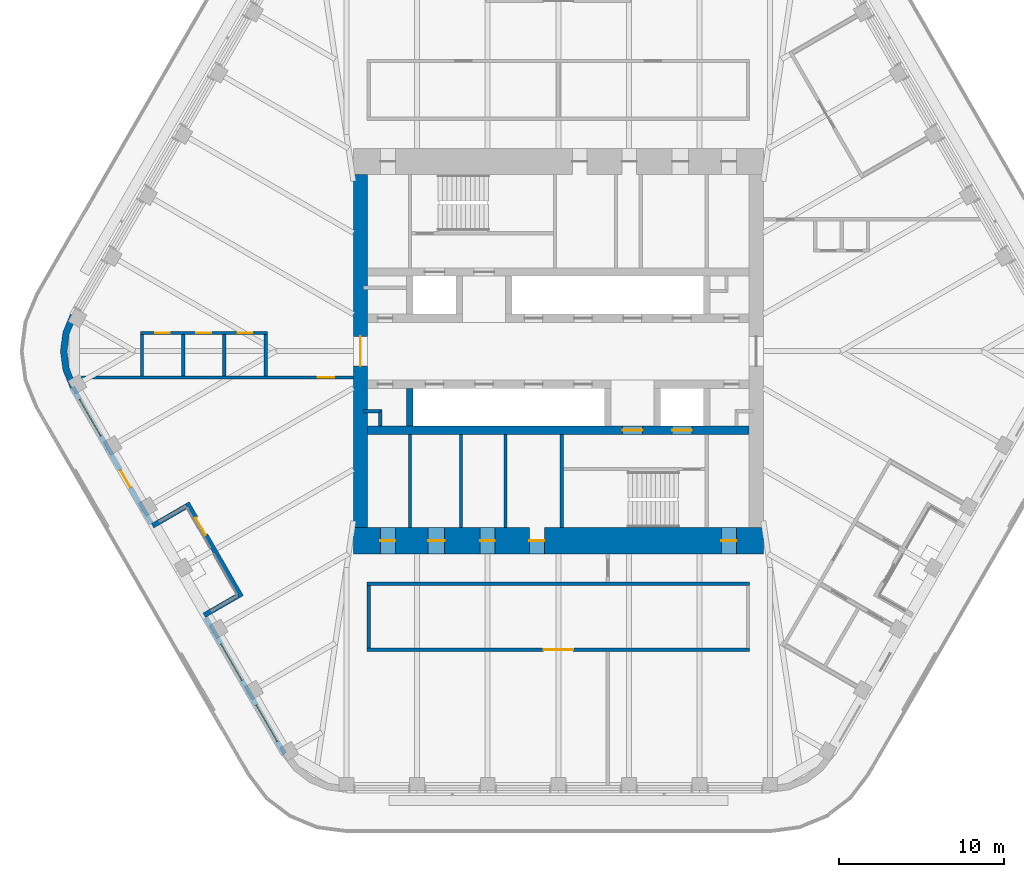
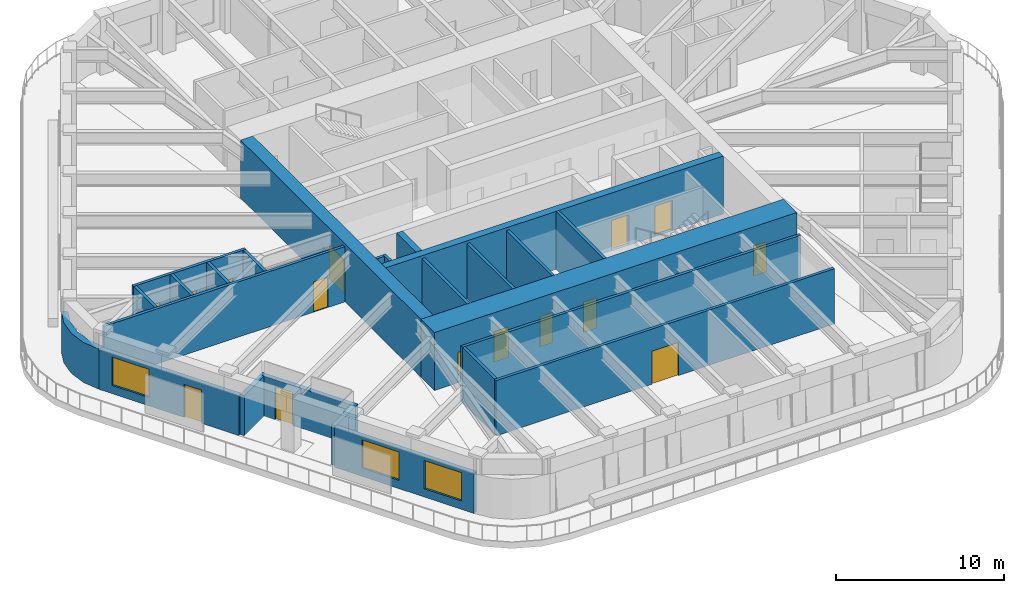
# One storey, part 13 of 19: 25 walls, 15 doors, 3 windows, 18 openings.
"""IFC4 building model written with IfcOpenShell, lengths in metres."""

from ifc_helpers import new_model, si_unit, direction, frame, frame_2d, origin, place, context, subcontext, project, spatial, polyline, rectangle, outline, extrude, material, layer, layer_set, type_object, element, fill, save


model = new_model("IFC4")

# Units and contexts
model_context = context("Model", 3, precision=1e-05, world=origin(), true_north=direction((0.0, 1.0)))
body_context = subcontext(model_context, "Body", "Model", "MODEL_VIEW")
ifc_project = project(units=[si_unit("LENGTHUNIT", "METRE"), si_unit("AREAUNIT", "SQUARE_METRE"), si_unit("VOLUMEUNIT", "CUBIC_METRE"), si_unit("PLANEANGLEUNIT", "RADIAN"), si_unit("MASSUNIT", "GRAM", prefix="KILO")], contexts=[model_context])

# Site, building, storey
site_placement = place(None, origin())
site = spatial("IfcSite", under=ifc_project, at=site_placement, CompositionType="ELEMENT")
building_placement = place(site_placement, origin())
building = spatial("IfcBuilding", under=site, at=building_placement, Name="Tarfa Lantern Tower", CompositionType="ELEMENT")
storey_placement = place(building_placement, frame((0.0, 0.0, 361.89990234375)))
storey = spatial("IfcBuildingStorey", under=building, at=storey_placement, Name="L82", CompositionType="ELEMENT", Elevation=361.89990234375)

# Wall, openings, door, window
ifc_material_1 = material(Name="Limestone cladding on blockwork", Category="masonry")
ifc_layer_1 = layer(ifc_material_1, 0.300048828125)
ifc_layer_set_1 = layer_set([ifc_layer_1], Name="EW1 STONE-CLAD WALL 300")
wall_type_1 = type_object("IfcWallType", Name="EW1 STONE-CLAD WALL 300", PredefinedType="SOLIDWALL", material=ifc_layer_set_1)
wall_1_placement = place(storey_placement, frame((-29.459228515625, -2.175048828125, 0.0), z_axis=(0.0, 0.0, 1.0), x_axis=(0.499996453679, -0.866027451244, 0.0)))
wall_1 = element("IfcWall", 1, at=wall_1_placement, inside=storey, type_object=wall_type_1, Name="Stone wall SW", PredefinedType="SOLIDWALL", context=body_context, shape_type="SweptSolid", body=[
    extrude(rectangle(XDim=9.56396484375, YDim=0.300048828125, at=frame_2d((4.781982421875, 0.0))), origin(), (0.0, 0.0, 1.0), 2.900146484375),
])
opening_1_placement = place(wall_1_placement, frame((0.865966796875, 0.0, 0.60009765625)))
opening_1 = element("IfcOpeningElement", 2, at=opening_1_placement, cuts=wall_1, Name="Opening W17", PredefinedType="OPENING", context=body_context, shape_type="SweptSolid", body=[
    extrude(rectangle(XDim=2.550048828125, YDim=2.050048828125, at=frame_2d((1.27490234375, 1.02490234375))), frame((0.0, 0.159912109375, 0.0), z_axis=(0.0, -1.0, 0.0), x_axis=(1.0, 0.0, 0.0)), (0.0, 0.0, 1.0), 0.320068359375),
])
opening_2_placement = place(wall_1_placement, frame((5.822998046875, 0.0, 0.0)))
opening_2 = element("IfcOpeningElement", 3, at=opening_2_placement, cuts=wall_1, Name="Opening D42", PredefinedType="OPENING", context=body_context, shape_type="SweptSolid", body=[
    extrude(rectangle(XDim=1.199951171875, YDim=2.39990234375, at=frame_2d((0.60009765625, 1.199951171875))), frame((0.0, 0.159912109375, 0.0), z_axis=(0.0, -1.0, 0.0), x_axis=(1.0, 0.0, 0.0)), (0.0, 0.0, 1.0), 0.320068359375),
])
ifc_material_2 = material(Name="Aluminium framed glazed door", Category="aluminium")
door_type_1 = type_object("IfcDoorType", Name="BE3 BALCONY DOOR 1200x2400", OperationType="SINGLE_SWING_RIGHT", PredefinedType="DOOR", material=ifc_material_2)
door_1_placement = place(opening_2_placement, origin())
door_1 = element("IfcDoor", 4, at=door_1_placement, inside=storey, type_object=door_type_1, Name="Balcony door SW", OperationType="SINGLE_SWING_LEFT", OverallHeight=2.39990234375, OverallWidth=1.199951171875, PredefinedType="DOOR", context=body_context, shape_type="SweptSolid", body=[
    extrude(rectangle(XDim=1.199951171875, YDim=2.39990234375, at=frame_2d((0.60009765625, 1.199951171875))), frame((0.0, 0.02490234375, 0.0), z_axis=(0.0, -1.0, 0.0), x_axis=(1.0, 0.0, 0.0)), (0.0, 0.0, 1.0), 0.050048828125),
])
fill(opening_2, door_1)
ifc_material_3 = material(Name="Aluminium frame, double glazed", Category="aluminium")
window_type = type_object("IfcWindowType", Name="W17 FULL-HEIGHT GLAZING 2550x2050", PartitioningType="SINGLE_PANEL", PredefinedType="WINDOW", material=ifc_material_3)
window_1_placement = place(opening_1_placement, origin())
window_1 = element("IfcWindow", 5, at=window_1_placement, inside=storey, type_object=window_type, Name="Window SW 1", OverallHeight=2.050048828125, OverallWidth=2.550048828125, PartitioningType="SINGLE_PANEL", PredefinedType="WINDOW", context=body_context, shape_type="SweptSolid", body=[
    extrude(rectangle(XDim=2.550048828125, YDim=2.050048828125, at=frame_2d((1.27490234375, 1.02490234375))), frame((0.0, 0.030029296875, 0.0), z_axis=(0.0, -1.0, 0.0), x_axis=(1.0, 0.0, 0.0)), (0.0, 0.0, 1.0), 0.06005859375),
])
fill(opening_1, window_1)

# Wall, openings, windows
wall_2_placement = place(storey_placement, frame((-21.395263671875, -16.142333984375, 0.0), z_axis=(0.0, 0.0, 1.0), x_axis=(0.499996453679, -0.866027451244, 0.0)))
wall_2 = element("IfcWall", 6, at=wall_2_placement, inside=storey, type_object=wall_type_1, Name="Stone wall SWB", PredefinedType="SOLIDWALL", context=body_context, shape_type="SweptSolid", body=[
    extrude(rectangle(XDim=9.56396484375, YDim=0.300048828125, at=frame_2d((4.781982421875, 0.0))), origin(), (0.0, 0.0, 1.0), 2.900146484375),
])
opening_3_placement = place(wall_2_placement, frame((1.865966796875, 0.0, 0.60009765625)))
opening_3 = element("IfcOpeningElement", 7, at=opening_3_placement, cuts=wall_2, Name="Opening W17", PredefinedType="OPENING", context=body_context, shape_type="SweptSolid", body=[
    extrude(rectangle(XDim=2.550048828125, YDim=2.050048828125, at=frame_2d((1.27490234375, 1.02490234375))), frame((0.0, 0.159912109375, 0.0), z_axis=(0.0, -1.0, 0.0), x_axis=(1.0, 0.0, 0.0)), (0.0, 0.0, 1.0), 0.320068359375),
])
opening_4_placement = place(wall_2_placement, frame((6.14794921875, 0.0, 0.60009765625)))
opening_4 = element("IfcOpeningElement", 8, at=opening_4_placement, cuts=wall_2, Name="Opening W17", PredefinedType="OPENING", context=body_context, shape_type="SweptSolid", body=[
    extrude(rectangle(XDim=2.550048828125, YDim=2.050048828125, at=frame_2d((1.27490234375, 1.02490234375))), frame((0.0, 0.159912109375, 0.0), z_axis=(0.0, -1.0, 0.0), x_axis=(1.0, 0.0, 0.0)), (0.0, 0.0, 1.0), 0.320068359375),
])
window_2_placement = place(opening_3_placement, origin())
window_2 = element("IfcWindow", 9, at=window_2_placement, inside=storey, type_object=window_type, Name="Window SWB 1", OverallHeight=2.050048828125, OverallWidth=2.550048828125, PartitioningType="SINGLE_PANEL", PredefinedType="WINDOW", context=body_context, shape_type="SweptSolid", body=[
    extrude(rectangle(XDim=2.550048828125, YDim=2.050048828125, at=frame_2d((1.27490234375, 1.02490234375))), frame((0.0, 0.030029296875, 0.0), z_axis=(0.0, -1.0, 0.0), x_axis=(1.0, 0.0, 0.0)), (0.0, 0.0, 1.0), 0.06005859375),
])
fill(opening_3, window_2)
window_3_placement = place(opening_4_placement, origin())
window_3 = element("IfcWindow", 10, at=window_3_placement, inside=storey, type_object=window_type, Name="Window SWB 2", OverallHeight=2.050048828125, OverallWidth=2.550048828125, PartitioningType="SINGLE_PANEL", PredefinedType="WINDOW", context=body_context, shape_type="SweptSolid", body=[
    extrude(rectangle(XDim=2.550048828125, YDim=2.050048828125, at=frame_2d((1.27490234375, 1.02490234375))), frame((0.0, 0.030029296875, 0.0), z_axis=(0.0, -1.0, 0.0), x_axis=(1.0, 0.0, 0.0)), (0.0, 0.0, 1.0), 0.06005859375),
])
fill(opening_4, window_3)

# Walls
for number, where, z_axis, x_axis, name in (
    (11, (-24.602294921875, -10.587646484375, 0.0), (0.0, 0.0, 1.0), (0.866016039709, 0.500016218704, 0.0), "Terrace return SW 1"),
    (12, (-21.47021484375, -16.012451171875, 0.0), (0.0, 0.0, 1.0), (0.866016039709, 0.500016218704, 0.0), "Terrace return SW 2"),
):
    element("IfcWall", number, at=place(storey_placement, frame(where, z_axis=z_axis, x_axis=x_axis)), inside=storey, type_object=wall_type_1, Name=name, PredefinedType="SOLIDWALL", context=body_context, shape_type="SweptSolid", body=[
        extrude(rectangle(XDim=2.35009765625, YDim=0.300048828125, at=frame_2d((1.175048828125, 0.0))), origin(), (0.0, 0.0, 1.0), 2.900146484375),
    ])

# Wall, opening, door
wall_3_placement = place(storey_placement, frame((-22.51220703125, -9.207763671875, 0.0), z_axis=(0.0, 0.0, 1.0), x_axis=(0.499999339774, -0.866025784966, 0.0)))
wall_3 = element("IfcWall", 13, at=wall_3_placement, inside=storey, type_object=wall_type_1, Name="Stone wall SWS", PredefinedType="SOLIDWALL", context=body_context, shape_type="SweptSolid", body=[
    extrude(rectangle(XDim=6.56396484375, YDim=0.300048828125, at=frame_2d((3.281982421875, 0.0))), origin(), (0.0, 0.0, 1.0), 2.900146484375),
])
opening_5_placement = place(wall_3_placement, frame((1.041015625, 0.0, 0.0)))
opening_5 = element("IfcOpeningElement", 14, at=opening_5_placement, cuts=wall_3, Name="Opening D43", PredefinedType="OPENING", context=body_context, shape_type="SweptSolid", body=[
    extrude(rectangle(XDim=1.199951171875, YDim=2.39990234375, at=frame_2d((0.60009765625, 1.199951171875))), frame((0.0, 0.159912109375, 0.0), z_axis=(0.0, -1.0, 0.0), x_axis=(1.0, 0.0, 0.0)), (0.0, 0.0, 1.0), 0.320068359375),
])
door_2_placement = place(opening_5_placement, origin())
door_2 = element("IfcDoor", 15, at=door_2_placement, inside=storey, type_object=door_type_1, Name="Balcony door SWS", OperationType="SINGLE_SWING_RIGHT", OverallHeight=2.39990234375, OverallWidth=1.199951171875, PredefinedType="DOOR", context=body_context, shape_type="SweptSolid", body=[
    extrude(rectangle(XDim=1.199951171875, YDim=2.39990234375, at=frame_2d((0.60009765625, 1.199951171875))), frame((0.0, 0.02490234375, 0.0), z_axis=(0.0, -1.0, 0.0), x_axis=(1.0, 0.0, 0.0)), (0.0, 0.0, 1.0), 0.050048828125),
])
fill(opening_5, door_2)

# Walls
ifc_layer_2 = layer(ifc_material_1, 0.39990234375)
ifc_layer_set_2 = layer_set([ifc_layer_2], Name="EW2 CURVED STONE CORNER 400")
wall_type_2 = type_object("IfcWallType", Name="EW2 CURVED STONE CORNER 400", PredefinedType="SOLIDWALL", material=ifc_layer_set_2)
wall_4_placement = place(storey_placement, origin())
element("IfcWall", 16, at=wall_4_placement, inside=storey, type_object=wall_type_2, Name="Stone corner NW-SW", PredefinedType="SOLIDWALL", context=body_context, shape_type="SweptSolid", body=[
    extrude(outline(polyline([(-29.589111328125, 2.25), (-30.038818359375, 1.164794921875), (-30.192138671875, 0.0), (-30.038818359375, -1.164794921875), (-29.589111328125, -2.25), (-29.24267578125, -2.050048828125), (-29.65234375, -1.061279296875), (-29.7919921875, 0.0), (-29.65234375, 1.061279296875), (-29.24267578125, 2.050048828125), (-29.589111328125, 2.25)])), origin(), (0.0, 0.0, 1.0), 2.900146484375),
])
ifc_material_4 = material(Name="Concrete blockwork", Category="masonry")
ifc_layer_3 = layer(ifc_material_4, 0.199951171875)
ifc_layer_set_3 = layer_set([ifc_layer_3], Name="IW1 BLOCKWORK PARTITION 200 EI 120")
wall_type_3 = type_object("IfcWallType", Name="IW1 BLOCKWORK PARTITION 200 EI 120", PredefinedType="PARTITIONING", material=ifc_layer_set_3)
for number, where, z_axis, x_axis, name in (
    (17, (-9.0, -5.050048828125, 0.0), (0.0, 0.0, 1.0), (0.0, -1.0, 0.0), "Core partition"),
    (18, (-3.199951171875, -5.050048828125, 0.0), (0.0, 0.0, 1.0), (0.0, -1.0, 0.0), "Core partition"),
    (19, (-5.89990234375, -5.050048828125, 0.0), (0.0, 0.0, 1.0), (0.0, -1.0, 0.0), "Core partition"),
):
    element("IfcWall", number, at=place(storey_placement, frame(where, z_axis=z_axis, x_axis=x_axis)), inside=storey, type_object=wall_type_3, Name=name, PredefinedType="PARTITIONING", context=body_context, shape_type="SweptSolid", body=[
        extrude(rectangle(XDim=5.64990234375, YDim=0.199951171875, at=frame_2d((2.824951171875, 0.0))), origin(), (0.0, 0.0, 1.0), 4.0),
    ])
for number, where, z_axis, x_axis, name in (
    (20, (-10.800048828125, -3.64990234375, 0.0), (0.0, 0.0, 1.0), (-1.0, 0.0, 0.0), "Core partition"),
    (21, (-10.800048828125, -3.550048828125, 0.0), (0.0, 0.0, 1.0), (0.0, -1.0, 0.0), "Core partition"),
):
    element("IfcWall", number, at=place(storey_placement, frame(where, z_axis=z_axis, x_axis=x_axis)), inside=storey, type_object=wall_type_3, Name=name, PredefinedType="PARTITIONING", context=body_context, shape_type="SweptSolid", body=[
        extrude(rectangle(XDim=1.0, YDim=0.199951171875, at=frame_2d((0.5, 0.0))), origin(), (0.0, 0.0, 1.0), 4.0),
    ])
ifc_material_5 = material(Name="Gypsum board on steel studs", Category="steel")
ifc_layer_4 = layer(ifc_material_5, 0.2099609375)
ifc_layer_set_4 = layer_set([ifc_layer_4], Name="IW2 ACOUSTIC PARTITION 200")
wall_type_4 = type_object("IfcWallType", Name="IW2 ACOUSTIC PARTITION 200", PredefinedType="PARTITIONING", material=ifc_layer_set_4)
wall_5_placement = place(storey_placement, frame((11.60009765625, -14.10009765625, 0.0), z_axis=(0.0, 0.0, 1.0), x_axis=(-1.0, 0.0, 0.0)))
element("IfcWall", 22, at=wall_5_placement, inside=storey, type_object=wall_type_4, Name="Partition", PredefinedType="PARTITIONING", context=body_context, shape_type="SweptSolid", body=[
    extrude(rectangle(XDim=23.2001953125, YDim=0.199951171875, at=frame_2d((11.60009765625, 0.0))), origin(), (0.0, 0.0, 1.0), 4.0),
])

# Wall, opening, door
wall_6_placement = place(storey_placement, frame((11.60009765625, -18.10009765625, 0.0), z_axis=(0.0, 0.0, 1.0), x_axis=(-1.0, 0.0, 0.0)))
wall_6 = element("IfcWall", 23, at=wall_6_placement, inside=storey, type_object=wall_type_4, Name="Partition", PredefinedType="PARTITIONING", context=body_context, shape_type="SweptSolid", body=[
    extrude(rectangle(XDim=23.2001953125, YDim=0.199951171875, at=frame_2d((11.60009765625, 0.0))), origin(), (0.0, 0.0, 1.0), 4.0),
])
opening_6_placement = place(wall_6_placement, frame((10.699951171875, 0.0, 0.0)))
opening_6 = element("IfcOpeningElement", 24, at=opening_6_placement, cuts=wall_6, Name="Opening D29", PredefinedType="OPENING", context=body_context, shape_type="SweptSolid", body=[
    extrude(rectangle(XDim=1.800048828125, YDim=2.39990234375, at=frame_2d((0.89990234375, 1.199951171875))), frame((0.0, 0.10986328125, 0.0), z_axis=(0.0, -1.0, 0.0), x_axis=(1.0, 0.0, 0.0)), (0.0, 0.0, 1.0), 0.219970703125),
])
ifc_material_6 = material(Name="Timber door", Category="wood")
door_type_2 = type_object("IfcDoorType", Name="DR2 ROOM DOOR 1800x2400", OperationType="DOUBLE_DOOR_SINGLE_SWING", PredefinedType="DOOR", material=ifc_material_6)
door_3_placement = place(opening_6_placement, frame((1.800048828125, 0.0, 0.0), z_axis=(0.0, 0.0, 1.0), x_axis=(-1.0, 0.0, 0.0)))
door_3 = element("IfcDoor", 25, at=door_3_placement, inside=storey, type_object=door_type_2, Name="Meeting room door", OperationType="DOUBLE_DOOR_SINGLE_SWING", OverallHeight=2.39990234375, OverallWidth=1.800048828125, PredefinedType="DOOR", context=body_context, shape_type="SweptSolid", body=[
    extrude(rectangle(XDim=1.800048828125, YDim=2.39990234375, at=frame_2d((0.89990234375, 1.199951171875))), frame((0.0, 0.02490234375, 0.0), z_axis=(0.0, -1.0, 0.0), x_axis=(1.0, 0.0, 0.0)), (0.0, 0.0, 1.0), 0.050048828125),
])
fill(opening_6, door_3)

# Wall
wall_7_placement = place(storey_placement, frame((-11.5, -14.199951171875, 0.0), z_axis=(0.0, 0.0, 1.0), x_axis=(0.0, -1.0, 0.0)))
element("IfcWall", 26, at=wall_7_placement, inside=storey, type_object=wall_type_4, Name="Partition", PredefinedType="PARTITIONING", context=body_context, shape_type="SweptSolid", body=[
    extrude(rectangle(XDim=3.800048828125, YDim=0.199951171875, at=frame_2d((1.89990234375, 0.0))), origin(), (0.0, 0.0, 1.0), 4.0),
])

# Wall, opening, door
wall_8_placement = place(storey_placement, frame((-12.425048828125, -1.60009765625, 0.0), z_axis=(0.0, 0.0, 1.0), x_axis=(-1.0, 0.0, 0.0)))
wall_8 = element("IfcWall", 27, at=wall_8_placement, inside=storey, type_object=wall_type_4, Name="Partition", PredefinedType="PARTITIONING", context=body_context, shape_type="SweptSolid", body=[
    extrude(rectangle(XDim=16.500244140625, YDim=0.199951171875, at=frame_2d((8.25, 0.0))), origin(), (0.0, 0.0, 1.0), 4.0),
])
opening_7_placement = place(wall_8_placement, frame((1.150146484375, 0.0, 0.0)))
opening_7 = element("IfcOpeningElement", 28, at=opening_7_placement, cuts=wall_8, Name="Opening D37", PredefinedType="OPENING", context=body_context, shape_type="SweptSolid", body=[
    extrude(rectangle(XDim=1.0, YDim=2.199951171875, at=frame_2d((0.5, 1.10009765625))), frame((0.0, 0.10986328125, 0.0), z_axis=(0.0, -1.0, 0.0), x_axis=(1.0, 0.0, 0.0)), (0.0, 0.0, 1.0), 0.219970703125),
])
door_type_3 = type_object("IfcDoorType", Name="DR1 ROOM DOOR 1000x2200", OperationType="SINGLE_SWING_LEFT", PredefinedType="DOOR", material=ifc_material_6)
door_4_placement = place(opening_7_placement, origin())
door_4 = element("IfcDoor", 29, at=door_4_placement, inside=storey, type_object=door_type_3, Name="Zone door", OperationType="SINGLE_SWING_RIGHT", OverallHeight=2.199951171875, OverallWidth=1.0, PredefinedType="DOOR", context=body_context, shape_type="SweptSolid", body=[
    extrude(rectangle(XDim=1.0, YDim=2.199951171875, at=frame_2d((0.5, 1.10009765625))), frame((0.0, 0.02490234375, 0.0), z_axis=(0.0, -1.0, 0.0), x_axis=(1.0, 0.0, 0.0)), (0.0, 0.0, 1.0), 0.050048828125),
])
fill(opening_7, door_4)

# Wall, openings, doors
wall_9_placement = place(storey_placement, frame((-17.650146484375, 1.10009765625, 0.0), z_axis=(0.0, 0.0, 1.0), x_axis=(-1.0, 0.0, 0.0)))
wall_9 = element("IfcWall", 30, at=wall_9_placement, inside=storey, type_object=wall_type_4, Name="Partition", PredefinedType="PARTITIONING", context=body_context, shape_type="SweptSolid", body=[
    extrude(rectangle(XDim=7.699951171875, YDim=0.199951171875, at=frame_2d((3.85009765625, 0.0))), origin(), (0.0, 0.0, 1.0), 4.0),
])
opening_8_placement = place(wall_9_placement, frame((0.89990234375, 0.0, 0.0)))
opening_8 = element("IfcOpeningElement", 31, at=opening_8_placement, cuts=wall_9, Name="Opening D30", PredefinedType="OPENING", context=body_context, shape_type="SweptSolid", body=[
    extrude(rectangle(XDim=0.89990234375, YDim=2.199951171875, at=frame_2d((0.449951171875, 1.10009765625))), frame((0.0, 0.10986328125, 0.0), z_axis=(0.0, -1.0, 0.0), x_axis=(1.0, 0.0, 0.0)), (0.0, 0.0, 1.0), 0.219970703125),
])
opening_9_placement = place(wall_9_placement, frame((3.39990234375, 0.0, 0.0)))
opening_9 = element("IfcOpeningElement", 32, at=opening_9_placement, cuts=wall_9, Name="Opening D31", PredefinedType="OPENING", context=body_context, shape_type="SweptSolid", body=[
    extrude(rectangle(XDim=0.89990234375, YDim=2.199951171875, at=frame_2d((0.449951171875, 1.10009765625))), frame((0.0, 0.10986328125, 0.0), z_axis=(0.0, -1.0, 0.0), x_axis=(1.0, 0.0, 0.0)), (0.0, 0.0, 1.0), 0.219970703125),
])
opening_10_placement = place(wall_9_placement, frame((5.89990234375, 0.0, 0.0)))
opening_10 = element("IfcOpeningElement", 33, at=opening_10_placement, cuts=wall_9, Name="Opening D32", PredefinedType="OPENING", context=body_context, shape_type="SweptSolid", body=[
    extrude(rectangle(XDim=0.89990234375, YDim=2.199951171875, at=frame_2d((0.449951171875, 1.10009765625))), frame((0.0, 0.10986328125, 0.0), z_axis=(0.0, -1.0, 0.0), x_axis=(1.0, 0.0, 0.0)), (0.0, 0.0, 1.0), 0.219970703125),
])
door_type_4 = type_object("IfcDoorType", Name="DR3 ROOM DOOR 900x2200", OperationType="SINGLE_SWING_LEFT", PredefinedType="DOOR", material=ifc_material_6)
door_5_placement = place(opening_8_placement, origin())
door_5 = element("IfcDoor", 34, at=door_5_placement, inside=storey, type_object=door_type_4, Name="Focus room door", OperationType="SINGLE_SWING_RIGHT", OverallHeight=2.199951171875, OverallWidth=0.89990234375, PredefinedType="DOOR", context=body_context, shape_type="SweptSolid", body=[
    extrude(rectangle(XDim=0.89990234375, YDim=2.199951171875, at=frame_2d((0.449951171875, 1.10009765625))), frame((0.0, 0.02490234375, 0.0), z_axis=(0.0, -1.0, 0.0), x_axis=(1.0, 0.0, 0.0)), (0.0, 0.0, 1.0), 0.050048828125),
])
fill(opening_8, door_5)
door_6_placement = place(opening_9_placement, origin())
door_6 = element("IfcDoor", 35, at=door_6_placement, inside=storey, type_object=door_type_4, Name="Focus room door", OperationType="SINGLE_SWING_LEFT", OverallHeight=2.199951171875, OverallWidth=0.89990234375, PredefinedType="DOOR", context=body_context, shape_type="SweptSolid", body=[
    extrude(rectangle(XDim=0.89990234375, YDim=2.199951171875, at=frame_2d((0.449951171875, 1.10009765625))), frame((0.0, 0.02490234375, 0.0), z_axis=(0.0, -1.0, 0.0), x_axis=(1.0, 0.0, 0.0)), (0.0, 0.0, 1.0), 0.050048828125),
])
fill(opening_9, door_6)
door_7_placement = place(opening_10_placement, origin())
door_7 = element("IfcDoor", 36, at=door_7_placement, inside=storey, type_object=door_type_4, Name="Focus room door", OperationType="SINGLE_SWING_LEFT", OverallHeight=2.199951171875, OverallWidth=0.89990234375, PredefinedType="DOOR", context=body_context, shape_type="SweptSolid", body=[
    extrude(rectangle(XDim=0.89990234375, YDim=2.199951171875, at=frame_2d((0.449951171875, 1.10009765625))), frame((0.0, 0.02490234375, 0.0), z_axis=(0.0, -1.0, 0.0), x_axis=(1.0, 0.0, 0.0)), (0.0, 0.0, 1.0), 0.050048828125),
])
fill(opening_10, door_7)

# Walls
for number, where, z_axis, x_axis, name in (
    (37, (-17.750244140625, -1.5, 0.0), (0.0, 0.0, 1.0), (0.0, 1.0, 0.0), "Partition"),
    (38, (-20.250244140625, -1.5, 0.0), (0.0, 0.0, 1.0), (0.0, 1.0, 0.0), "Partition"),
    (39, (-22.750244140625, -1.5, 0.0), (0.0, 0.0, 1.0), (0.0, 1.0, 0.0), "Partition"),
    (40, (-25.250244140625, -1.5, 0.0), (0.0, 0.0, 1.0), (0.0, 1.0, 0.0), "Partition"),
):
    element("IfcWall", number, at=place(storey_placement, frame(where, z_axis=z_axis, x_axis=x_axis)), inside=storey, type_object=wall_type_4, Name=name, PredefinedType="PARTITIONING", context=body_context, shape_type="SweptSolid", body=[
        extrude(rectangle(XDim=2.5, YDim=0.199951171875, at=frame_2d((1.25, 0.0))), origin(), (0.0, 0.0, 1.0), 4.0),
    ])
ifc_material_7 = material(Name="Concrete C80/95", Category="concrete")
ifc_layer_5 = layer(ifc_material_7, 0.199951171875)
ifc_layer_set_5 = layer_set([ifc_layer_5], Name="SW12 CORE WALL 200")
wall_type_5 = type_object("IfcWallType", Name="SW12 CORE WALL 200", PredefinedType="SHEAR", material=ifc_layer_set_5)
wall_10_placement = place(storey_placement, frame((0.199951171875, -5.050048828125, 0.0), z_axis=(0.0, 0.0, 1.0), x_axis=(0.0, -1.0, 0.0)))
element("IfcWall", 41, at=wall_10_placement, inside=storey, type_object=wall_type_5, Name="Core wall stair shaft S", PredefinedType="SHEAR", context=body_context, shape_type="SweptSolid", body=[
    extrude(rectangle(XDim=5.64990234375, YDim=0.199951171875, at=frame_2d((2.824951171875, 0.0))), origin(), (0.0, 0.0, 1.0), 4.2001953125),
])

# Wall, opening, door
ifc_layer_6 = layer(ifc_material_7, 0.85009765625)
ifc_layer_set_6 = layer_set([ifc_layer_6], Name="SW3 CORE WALL 850")
wall_type_6 = type_object("IfcWallType", Name="SW3 CORE WALL 850", PredefinedType="SHEAR", material=ifc_layer_set_6)
wall_11_placement = place(storey_placement, frame((-12.0, 10.699951171875, 0.0), z_axis=(0.0, 0.0, 1.0), x_axis=(0.0, -1.0, 0.0)))
wall_11 = element("IfcWall", 42, at=wall_11_placement, inside=storey, type_object=wall_type_6, Name="Core wall W", PredefinedType="SHEAR", context=body_context, shape_type="SweptSolid", body=[
    extrude(rectangle(XDim=21.39990234375, YDim=0.85009765625, at=frame_2d((10.699951171875, 0.0))), origin(), (0.0, 0.0, 1.0), 4.2001953125),
])
opening_11_placement = place(wall_11_placement, frame((9.800048828125, 0.0, 0.0)))
opening_11 = element("IfcOpeningElement", 43, at=opening_11_placement, cuts=wall_11, Name="Opening D08", PredefinedType="OPENING", context=body_context, shape_type="SweptSolid", body=[
    extrude(rectangle(XDim=1.800048828125, YDim=2.39990234375, at=frame_2d((0.89990234375, 1.199951171875))), frame((0.0, 0.43505859375, 0.0), z_axis=(0.0, -1.0, 0.0), x_axis=(1.0, 0.0, 0.0)), (0.0, 0.0, 1.0), 0.8701171875),
])
ifc_material_8 = material(Name="Steel fire door", Category="steel")
door_type_5 = type_object("IfcDoorType", Name="DL1 LOBBY DOOR 1800x2400", OperationType="DOUBLE_DOOR_SINGLE_SWING", PredefinedType="DOOR", material=ifc_material_8)
door_8_placement = place(opening_11_placement, frame((1.800048828125, 0.0, 0.0), z_axis=(0.0, 0.0, 1.0), x_axis=(-1.0, 0.0, 0.0)))
door_8 = element("IfcDoor", 44, at=door_8_placement, inside=storey, type_object=door_type_5, Name="Lift lobby door", OperationType="DOUBLE_DOOR_SINGLE_SWING", OverallHeight=2.39990234375, OverallWidth=1.800048828125, PredefinedType="DOOR", context=body_context, shape_type="SweptSolid", body=[
    extrude(rectangle(XDim=1.800048828125, YDim=2.39990234375, at=frame_2d((0.89990234375, 1.199951171875))), frame((0.0, 0.02490234375, 0.0), z_axis=(0.0, -1.0, 0.0), x_axis=(1.0, 0.0, 0.0)), (0.0, 0.0, 1.0), 0.050048828125),
])
fill(opening_11, door_8)

# Wall, openings, doors
ifc_layer_7 = layer(ifc_material_7, 0.5)
ifc_layer_set_7 = layer_set([ifc_layer_7], Name="SW5 CORE WALL 500")
wall_type_7 = type_object("IfcWallType", Name="SW5 CORE WALL 500", PredefinedType="SHEAR", material=ifc_layer_set_7)
wall_12_placement = place(storey_placement, frame((11.574951171875, -4.800048828125, 0.0), z_axis=(0.0, 0.0, 1.0), x_axis=(-1.0, 0.0, 0.0)))
wall_12 = element("IfcWall", 45, at=wall_12_placement, inside=storey, type_object=wall_type_7, Name="Core wall rear S", PredefinedType="SHEAR", context=body_context, shape_type="SweptSolid", body=[
    extrude(rectangle(XDim=23.14990234375, YDim=0.5, at=frame_2d((11.574951171875, 0.0))), origin(), (0.0, 0.0, 1.0), 4.2001953125),
])
opening_12_placement = place(wall_12_placement, frame((6.47509765625, 0.0, 0.0)))
opening_12 = element("IfcOpeningElement", 46, at=opening_12_placement, cuts=wall_12, Name="Opening D06", PredefinedType="OPENING", context=body_context, shape_type="SweptSolid", body=[
    extrude(rectangle(XDim=1.199951171875, YDim=2.199951171875, at=frame_2d((0.60009765625, 1.10009765625))), frame((0.0, 0.260009765625, 0.0), z_axis=(0.0, -1.0, 0.0), x_axis=(1.0, 0.0, 0.0)), (0.0, 0.0, 1.0), 0.52001953125),
])
opening_13_placement = place(wall_12_placement, frame((3.47509765625, 0.0, 0.0)))
opening_13 = element("IfcOpeningElement", 47, at=opening_13_placement, cuts=wall_12, Name="Opening LD02", PredefinedType="OPENING", context=body_context, shape_type="SweptSolid", body=[
    extrude(rectangle(XDim=1.199951171875, YDim=2.199951171875, at=frame_2d((0.60009765625, 1.10009765625))), frame((0.0, 0.260009765625, 0.0), z_axis=(0.0, -1.0, 0.0), x_axis=(1.0, 0.0, 0.0)), (0.0, 0.0, 1.0), 0.52001953125),
])
door_type_6 = type_object("IfcDoorType", Name="DF1 FIREFIGHTING LOBBY DOOR 1200x2200", OperationType="SINGLE_SWING_LEFT", PredefinedType="DOOR", material=ifc_material_8)
door_9_placement = place(opening_12_placement, origin())
door_9 = element("IfcDoor", 48, at=door_9_placement, inside=storey, type_object=door_type_6, Name="Firefighting lobby door", OperationType="SINGLE_SWING_LEFT", OverallHeight=2.199951171875, OverallWidth=1.199951171875, PredefinedType="DOOR", context=body_context, shape_type="SweptSolid", body=[
    extrude(rectangle(XDim=1.199951171875, YDim=2.199951171875, at=frame_2d((0.60009765625, 1.10009765625))), frame((0.0, 0.02490234375, 0.0), z_axis=(0.0, -1.0, 0.0), x_axis=(1.0, 0.0, 0.0)), (0.0, 0.0, 1.0), 0.050048828125),
])
fill(opening_12, door_9)
ifc_material_9 = material(Name="Stainless steel lift door", Category="steel")
door_type_7 = type_object("IfcDoorType", Name="LD1 LIFT LANDING DOOR 1200x2200", OperationType="SLIDING_TO_LEFT", PredefinedType="DOOR", material=ifc_material_9)
door_10_placement = place(opening_13_placement, origin())
door_10 = element("IfcDoor", 49, at=door_10_placement, inside=storey, type_object=door_type_7, Name="Landing door FL2", OperationType="SLIDING_TO_LEFT", OverallHeight=2.199951171875, OverallWidth=1.199951171875, PredefinedType="DOOR", context=body_context, shape_type="SweptSolid", body=[
    extrude(rectangle(XDim=1.199951171875, YDim=2.199951171875, at=frame_2d((0.60009765625, 1.10009765625))), frame((0.0, 0.02490234375, 0.0), z_axis=(0.0, -1.0, 0.0), x_axis=(1.0, 0.0, 0.0)), (0.0, 0.0, 1.0), 0.050048828125),
])
fill(opening_13, door_10)

# Wall
ifc_layer_8 = layer(ifc_material_7, 0.39990234375)
ifc_layer_set_8 = layer_set([ifc_layer_8], Name="SW6 CORE WALL 400")
wall_type_8 = type_object("IfcWallType", Name="SW6 CORE WALL 400", PredefinedType="SHEAR", material=ifc_layer_set_8)
wall_13_placement = place(storey_placement, frame((-9.0, -2.25, 0.0), z_axis=(0.0, 0.0, 1.0), x_axis=(0.0, -1.0, 0.0)))
element("IfcWall", 50, at=wall_13_placement, inside=storey, type_object=wall_type_8, Name="Core wall divider S", PredefinedType="SHEAR", context=body_context, shape_type="SweptSolid", body=[
    extrude(rectangle(XDim=2.300048828125, YDim=0.39990234375, at=frame_2d((1.14990234375, 0.0))), origin(), (0.0, 0.0, 1.0), 4.2001953125),
])

# Wall, openings, doors
ifc_layer_9 = layer(ifc_material_7, 1.60009765625)
ifc_layer_set_9 = layer_set([ifc_layer_9], Name="SW7 CORE WALL 1600")
wall_type_9 = type_object("IfcWallType", Name="SW7 CORE WALL 1600", PredefinedType="SHEAR", material=ifc_layer_set_9)
wall_14_placement = place(storey_placement, frame((12.425048828125, -11.5, 0.0), z_axis=(0.0, 0.0, 1.0), x_axis=(-1.0, 0.0, 0.0)))
wall_14 = element("IfcWall", 51, at=wall_14_placement, inside=storey, type_object=wall_type_9, Name="Core wall S", PredefinedType="SHEAR", context=body_context, shape_type="SweptSolid", body=[
    extrude(rectangle(XDim=24.85009765625, YDim=1.60009765625, at=frame_2d((12.425048828125, 0.0))), origin(), (0.0, 0.0, 1.0), 4.2001953125),
])
opening_14_placement = place(wall_14_placement, frame((13.27490234375, 0.0, 0.0)))
opening_14 = element("IfcOpeningElement", 52, at=opening_14_placement, cuts=wall_14, Name="Opening D14", PredefinedType="OPENING", context=body_context, shape_type="SweptSolid", body=[
    extrude(rectangle(XDim=0.89990234375, YDim=2.199951171875, at=frame_2d((0.449951171875, 1.10009765625))), frame((0.0, 0.81005859375, 0.0), z_axis=(0.0, -1.0, 0.0), x_axis=(1.0, 0.0, 0.0)), (0.0, 0.0, 1.0), 1.6201171875),
])
opening_15_placement = place(wall_14_placement, frame((16.27490234375, 0.0, 0.0)))
opening_15 = element("IfcOpeningElement", 53, at=opening_15_placement, cuts=wall_14, Name="Opening D16", PredefinedType="OPENING", context=body_context, shape_type="SweptSolid", body=[
    extrude(rectangle(XDim=0.89990234375, YDim=2.199951171875, at=frame_2d((0.449951171875, 1.10009765625))), frame((0.0, 0.81005859375, 0.0), z_axis=(0.0, -1.0, 0.0), x_axis=(1.0, 0.0, 0.0)), (0.0, 0.0, 1.0), 1.6201171875),
])
opening_16_placement = place(wall_14_placement, frame((19.324951171875, 0.0, 0.0)))
opening_16 = element("IfcOpeningElement", 54, at=opening_16_placement, cuts=wall_14, Name="Opening D18", PredefinedType="OPENING", context=body_context, shape_type="SweptSolid", body=[
    extrude(rectangle(XDim=1.0, YDim=2.199951171875, at=frame_2d((0.5, 1.10009765625))), frame((0.0, 0.81005859375, 0.0), z_axis=(0.0, -1.0, 0.0), x_axis=(1.0, 0.0, 0.0)), (0.0, 0.0, 1.0), 1.6201171875),
])
opening_17_placement = place(wall_14_placement, frame((1.637451171875, 0.0, 0.0)))
opening_17 = element("IfcOpeningElement", 55, at=opening_17_placement, cuts=wall_14, Name="Opening D04", PredefinedType="OPENING", context=body_context, shape_type="SweptSolid", body=[
    extrude(rectangle(XDim=0.89990234375, YDim=2.199951171875, at=frame_2d((0.449951171875, 1.10009765625))), frame((0.0, 0.81005859375, 0.0), z_axis=(0.0, -1.0, 0.0), x_axis=(1.0, 0.0, 0.0)), (0.0, 0.0, 1.0), 1.6201171875),
])
opening_18_placement = place(wall_14_placement, frame((22.3125, 0.0, 0.0)))
opening_18 = element("IfcOpeningElement", 56, at=opening_18_placement, cuts=wall_14, Name="Opening D02", PredefinedType="OPENING", context=body_context, shape_type="SweptSolid", body=[
    extrude(rectangle(XDim=0.89990234375, YDim=2.199951171875, at=frame_2d((0.449951171875, 1.10009765625))), frame((0.0, 0.81005859375, 0.0), z_axis=(0.0, -1.0, 0.0), x_axis=(1.0, 0.0, 0.0)), (0.0, 0.0, 1.0), 1.6201171875),
])
door_type_8 = type_object("IfcDoorType", Name="DF3 CORE ROOM DOOR 900x2200", OperationType="SINGLE_SWING_LEFT", PredefinedType="DOOR", material=ifc_material_8)
door_11_placement = place(opening_14_placement, frame((0.89990234375, 0.0, 0.0), z_axis=(0.0, 0.0, 1.0), x_axis=(-1.0, 0.0, 0.0)))
door_11 = element("IfcDoor", 57, at=door_11_placement, inside=storey, type_object=door_type_8, Name="Core door", OperationType="SINGLE_SWING_LEFT", OverallHeight=2.199951171875, OverallWidth=0.89990234375, PredefinedType="DOOR", context=body_context, shape_type="SweptSolid", body=[
    extrude(rectangle(XDim=0.89990234375, YDim=2.199951171875, at=frame_2d((0.449951171875, 1.10009765625))), frame((0.0, 0.02490234375, 0.0), z_axis=(0.0, -1.0, 0.0), x_axis=(1.0, 0.0, 0.0)), (0.0, 0.0, 1.0), 0.050048828125),
])
fill(opening_14, door_11)
door_12_placement = place(opening_15_placement, frame((0.89990234375, 0.0, 0.0), z_axis=(0.0, 0.0, 1.0), x_axis=(-1.0, 0.0, 0.0)))
door_12 = element("IfcDoor", 58, at=door_12_placement, inside=storey, type_object=door_type_8, Name="Core door", OperationType="SINGLE_SWING_LEFT", OverallHeight=2.199951171875, OverallWidth=0.89990234375, PredefinedType="DOOR", context=body_context, shape_type="SweptSolid", body=[
    extrude(rectangle(XDim=0.89990234375, YDim=2.199951171875, at=frame_2d((0.449951171875, 1.10009765625))), frame((0.0, 0.02490234375, 0.0), z_axis=(0.0, -1.0, 0.0), x_axis=(1.0, 0.0, 0.0)), (0.0, 0.0, 1.0), 0.050048828125),
])
fill(opening_15, door_12)
door_type_9 = type_object("IfcDoorType", Name="DF4 CORE ROOM DOOR 1000x2200", OperationType="SINGLE_SWING_LEFT", PredefinedType="DOOR", material=ifc_material_8)
door_13_placement = place(opening_16_placement, frame((1.0, 0.0, 0.0), z_axis=(0.0, 0.0, 1.0), x_axis=(-1.0, 0.0, 0.0)))
door_13 = element("IfcDoor", 59, at=door_13_placement, inside=storey, type_object=door_type_9, Name="Core door", OperationType="SINGLE_SWING_LEFT", OverallHeight=2.199951171875, OverallWidth=1.0, PredefinedType="DOOR", context=body_context, shape_type="SweptSolid", body=[
    extrude(rectangle(XDim=1.0, YDim=2.199951171875, at=frame_2d((0.5, 1.10009765625))), frame((0.0, 0.02490234375, 0.0), z_axis=(0.0, -1.0, 0.0), x_axis=(1.0, 0.0, 0.0)), (0.0, 0.0, 1.0), 0.050048828125),
])
fill(opening_16, door_13)
door_type_10 = type_object("IfcDoorType", Name="DF5 RISER DOOR 900x2200", OperationType="SINGLE_SWING_LEFT", PredefinedType="DOOR", material=ifc_material_8)
door_14_placement = place(opening_17_placement, frame((0.89990234375, 0.0, 0.0), z_axis=(0.0, 0.0, 1.0), x_axis=(-1.0, 0.0, 0.0)))
door_14 = element("IfcDoor", 60, at=door_14_placement, inside=storey, type_object=door_type_10, Name="Riser door", OperationType="SINGLE_SWING_LEFT", OverallHeight=2.199951171875, OverallWidth=0.89990234375, PredefinedType="DOOR", context=body_context, shape_type="SweptSolid", body=[
    extrude(rectangle(XDim=0.89990234375, YDim=2.199951171875, at=frame_2d((0.449951171875, 1.10009765625))), frame((0.0, 0.02490234375, 0.0), z_axis=(0.0, -1.0, 0.0), x_axis=(1.0, 0.0, 0.0)), (0.0, 0.0, 1.0), 0.050048828125),
])
fill(opening_17, door_14)
door_15_placement = place(opening_18_placement, frame((0.89990234375, 0.0, 0.0), z_axis=(0.0, 0.0, 1.0), x_axis=(-1.0, 0.0, 0.0)))
door_15 = element("IfcDoor", 61, at=door_15_placement, inside=storey, type_object=door_type_10, Name="Riser door", OperationType="SINGLE_SWING_RIGHT", OverallHeight=2.199951171875, OverallWidth=0.89990234375, PredefinedType="DOOR", context=body_context, shape_type="SweptSolid", body=[
    extrude(rectangle(XDim=0.89990234375, YDim=2.199951171875, at=frame_2d((0.449951171875, 1.10009765625))), frame((0.0, 0.02490234375, 0.0), z_axis=(0.0, -1.0, 0.0), x_axis=(1.0, 0.0, 0.0)), (0.0, 0.0, 1.0), 0.050048828125),
])
fill(opening_18, door_15)

save(model, "model.ifc")
